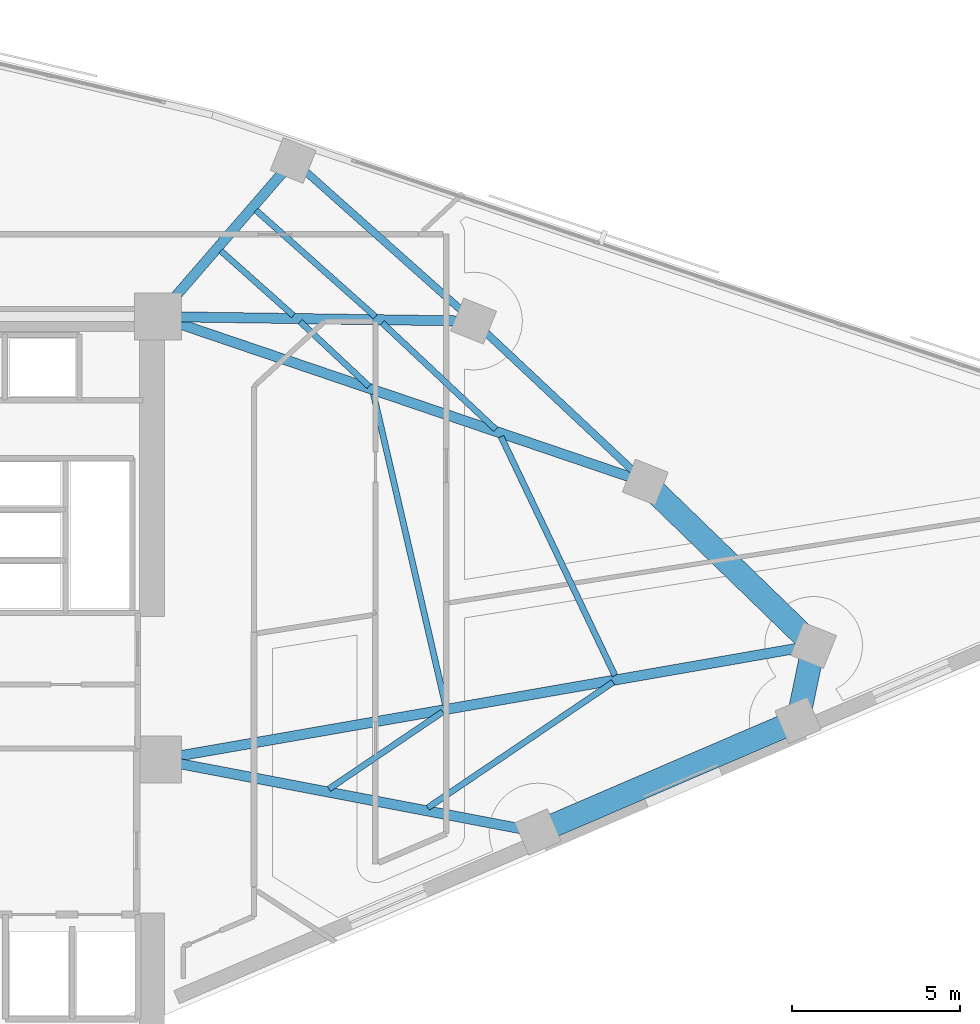
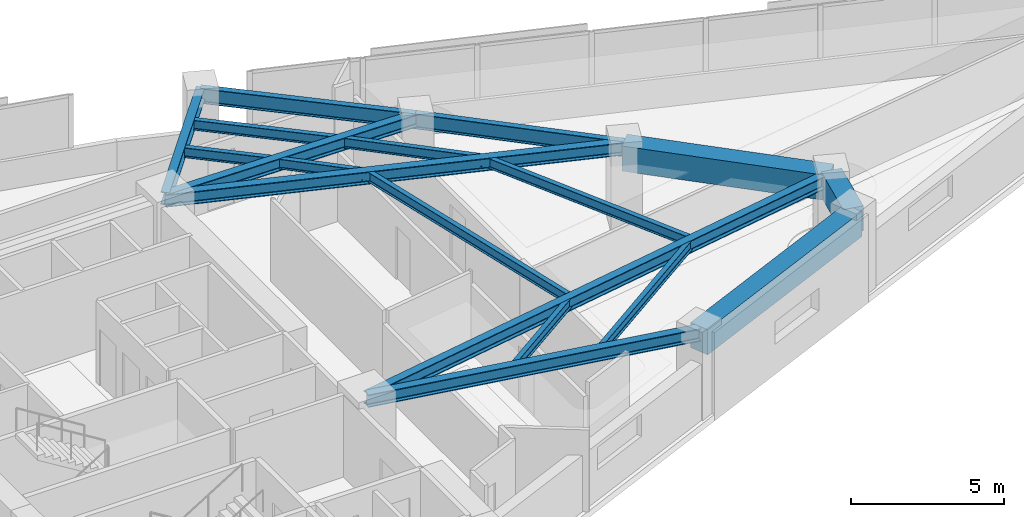
# One storey, part 3 of 14: 18 beams.
"""IFC4 building model written with IfcOpenShell, lengths in metres."""

from ifc_helpers import new_model, si_unit, direction, frame, origin, origin_2d, place, context, subcontext, project, spatial, rectangle, i_section, extrude, material, material_profile, profile_set, type_object, element, save


model = new_model("IFC4")

# Units and contexts
model_context = context("Model", 3, precision=1e-05, world=origin(), true_north=direction((0.0, 1.0)))
body_context = subcontext(model_context, "Body", "Model", "MODEL_VIEW")
ifc_project = project(units=[si_unit("LENGTHUNIT", "METRE"), si_unit("AREAUNIT", "SQUARE_METRE"), si_unit("VOLUMEUNIT", "CUBIC_METRE"), si_unit("PLANEANGLEUNIT", "RADIAN"), si_unit("MASSUNIT", "GRAM", prefix="KILO")], contexts=[model_context])

# Site, building, storey
site_placement = place(None, origin())
site = spatial("IfcSite", under=ifc_project, at=site_placement, CompositionType="ELEMENT")
building_placement = place(site_placement, origin())
building = spatial("IfcBuilding", under=site, at=building_placement, Name="Narakoshi Arena Tower", CompositionType="ELEMENT")
storey_placement = place(building_placement, frame((0.0, 0.0, 179.10009765625)))
storey = spatial("IfcBuildingStorey", under=building, at=storey_placement, Name="L48", CompositionType="ELEMENT", Elevation=179.10009765625)

# Beams
ifc_material_1 = material(Name="Concrete C60/75", Category="concrete")
ifc_material_profile_1 = material_profile(ifc_material_1, rectangle(XDim=0.699951171875, YDim=1.0, at=origin_2d()), Name="RCB700x1000")
ifc_profile_set_1 = profile_set([ifc_material_profile_1], Name="Concrete C60/75")
beam_type_1 = type_object("IfcBeamType", Name="BM-CPL-1000", PredefinedType="BEAM", material=ifc_profile_set_1)
beam_1_placement = place(storey_placement, frame((96.830078125, 41.2001953125, 2.760009765625), z_axis=(0.918792947441, 0.394739812703, 0.0), x_axis=(-0.394739812703, 0.918792947441, 0.0)))
element("IfcBeam", 1, at=beam_1_placement, inside=storey, type_object=beam_type_1, Name="L48 Perimeter Edge Girder 01", PredefinedType="BEAM", context=body_context, shape_type="SweptSolid", body=[
    extrude(rectangle(XDim=0.699951171875, YDim=1.0, at=origin_2d()), origin(), (0.0, 0.0, 1.0), 8.401611328125),
])
beam_2_placement = place(storey_placement, frame((104.54931640625, 44.5166015625, 2.760009765625), z_axis=(0.203000450605, 0.979178644096, 0.0), x_axis=(-0.979178644096, 0.203000450605, 0.0)))
element("IfcBeam", 2, at=beam_2_placement, inside=storey, type_object=beam_type_1, Name="L48 Perimeter Edge Girder 02", PredefinedType="BEAM", context=body_context, shape_type="SweptSolid", body=[
    extrude(rectangle(XDim=0.699951171875, YDim=1.0, at=origin_2d()), origin(), (0.0, 0.0, 1.0), 2.26953125),
])
beam_3_placement = place(storey_placement, frame((105.010009765625, 46.73876953125, 2.760009765625), z_axis=(-0.717826032278, 0.696222512839, 0.0), x_axis=(-0.696222512839, -0.717826032278, 0.0)))
element("IfcBeam", 3, at=beam_3_placement, inside=storey, type_object=beam_type_1, Name="L48 Perimeter Edge Girder 03", PredefinedType="BEAM", context=body_context, shape_type="SweptSolid", body=[
    extrude(rectangle(XDim=0.699951171875, YDim=1.0, at=origin_2d()), origin(), (0.0, 0.0, 1.0), 6.96142578125),
])
ifc_material_2 = material(Name="Structural steel S355J2", Category="steel")
ifc_material_profile_2 = material_profile(ifc_material_2, i_section(OverallWidth=0.219970703125, OverallDepth=0.60009765625, WebThickness=0.011962890625, FlangeThickness=0.01904296875, FilletRadius=0.02392578125, at=origin_2d()), Name="IPE600")
ifc_profile_set_2 = profile_set([ifc_material_profile_2], Name="Structural steel S355J2")
beam_type_2 = type_object("IfcBeamType", Name="BM-EDGE-600", PredefinedType="BEAM", material=ifc_profile_set_2)
beam_4_placement = place(storey_placement, frame((100.012939453125, 51.58544921875, 2.9599609375), z_axis=(-0.729413011888, 0.684073576517, 0.0), x_axis=(-0.684073576517, -0.729413011888, 0.0)))
element("IfcBeam", 4, at=beam_4_placement, inside=storey, type_object=beam_type_2, Name="L48 Perimeter Edge Girder 04", PredefinedType="BEAM", context=body_context, shape_type="SweptSolid", body=[
    extrude(i_section(OverallWidth=0.219970703125, OverallDepth=0.60009765625, WebThickness=0.011962890625, FlangeThickness=0.01904296875, FilletRadius=0.02392578125, at=origin_2d()), origin(), (0.0, 0.0, 1.0), 6.9892578125),
])
beam_5_placement = place(storey_placement, frame((94.914794921875, 56.36669921875, 2.9599609375), z_axis=(-0.746743797071, 0.665111796269, 0.0), x_axis=(-0.665111796269, -0.746743797071, 0.0)))
element("IfcBeam", 5, at=beam_5_placement, inside=storey, type_object=beam_type_2, Name="L48 Perimeter Edge Girder 05", PredefinedType="BEAM", context=body_context, shape_type="SweptSolid", body=[
    extrude(i_section(OverallWidth=0.219970703125, OverallDepth=0.60009765625, WebThickness=0.011962890625, FlangeThickness=0.01904296875, FilletRadius=0.02392578125, at=origin_2d()), origin(), (0.0, 0.0, 1.0), 7.168701171875),
])
ifc_material_profile_3 = material_profile(ifc_material_2, i_section(OverallWidth=0.300048828125, OverallDepth=0.5, WebThickness=0.014404296875, FlangeThickness=0.028076171875, FilletRadius=0.027099609375, at=origin_2d()), Name="HE500B")
ifc_profile_set_3 = profile_set([ifc_material_profile_3], Name="Structural steel S355J2")
beam_type_3 = type_object("IfcBeamType", Name="BM-PRI-500", PredefinedType="BEAM", material=ifc_profile_set_3)
beam_6_placement = place(storey_placement, frame((85.550048828125, 43.35009765625, 3.010009765625), z_axis=(0.982317345732, -0.187223482166, 0.0), x_axis=(0.187223482166, 0.982317345732, 0.0)))
element("IfcBeam", 6, at=beam_6_placement, inside=storey, type_object=beam_type_3, Name="L48 Radial Primary Floor Girder 01", PredefinedType="BEAM", context=body_context, shape_type="SweptSolid", body=[
    extrude(i_section(OverallWidth=0.300048828125, OverallDepth=0.5, WebThickness=0.014404296875, FlangeThickness=0.028076171875, FilletRadius=0.027099609375, at=origin_2d()), origin(), (0.0, 0.0, 1.0), 11.483154296875),
])
beam_7_placement = place(storey_placement, frame((85.550048828125, 43.35009765625, 3.010009765625), z_axis=(0.985174720478, 0.171553986052, 0.0), x_axis=(-0.171553986052, 0.985174720478, 0.0)))
element("IfcBeam", 7, at=beam_7_placement, inside=storey, type_object=beam_type_3, Name="L48 Radial Primary Floor Girder 03", PredefinedType="BEAM", context=body_context, shape_type="SweptSolid", body=[
    extrude(i_section(OverallWidth=0.300048828125, OverallDepth=0.5, WebThickness=0.014404296875, FlangeThickness=0.028076171875, FilletRadius=0.027099609375, at=origin_2d()), origin(), (0.0, 0.0, 1.0), 19.752685546875),
])
beam_8_placement = place(storey_placement, frame((85.550048828125, 56.5, 3.010009765625), z_axis=(0.94682923499, -0.321736537818, 0.0), x_axis=(0.321736537818, 0.94682923499, 0.0)))
element("IfcBeam", 8, at=beam_8_placement, inside=storey, type_object=beam_type_3, Name="L48 Radial Primary Floor Girder 04", PredefinedType="BEAM", context=body_context, shape_type="SweptSolid", body=[
    extrude(i_section(OverallWidth=0.300048828125, OverallDepth=0.5, WebThickness=0.014404296875, FlangeThickness=0.028076171875, FilletRadius=0.027099609375, at=origin_2d()), origin(), (0.0, 0.0, 1.0), 15.275146484375),
])
beam_9_placement = place(storey_placement, frame((85.550048828125, 56.5, 3.010009765625), z_axis=(0.999898707477, -0.014232876956, 0.0), x_axis=(0.014232876956, 0.999898707477, 0.0)))
element("IfcBeam", 9, at=beam_9_placement, inside=storey, type_object=beam_type_3, Name="L48 Radial Primary Floor Girder 05", PredefinedType="BEAM", context=body_context, shape_type="SweptSolid", body=[
    extrude(i_section(OverallWidth=0.300048828125, OverallDepth=0.5, WebThickness=0.014404296875, FlangeThickness=0.028076171875, FilletRadius=0.027099609375, at=origin_2d()), origin(), (0.0, 0.0, 1.0), 9.36572265625),
])
beam_10_placement = place(storey_placement, frame((85.550048828125, 56.5, 3.010009765625), z_axis=(0.654434553487, 0.756118651537, 0.0), x_axis=(-0.756118651537, 0.654434553487, 0.0)))
element("IfcBeam", 10, at=beam_10_placement, inside=storey, type_object=beam_type_3, Name="L48 Radial Primary Floor Girder 06", PredefinedType="BEAM", context=body_context, shape_type="SweptSolid", body=[
    extrude(i_section(OverallWidth=0.300048828125, OverallDepth=0.5, WebThickness=0.014404296875, FlangeThickness=0.028076171875, FilletRadius=0.027099609375, at=origin_2d()), origin(), (0.0, 0.0, 1.0), 6.129638671875),
])
ifc_material_profile_4 = material_profile(ifc_material_2, i_section(OverallWidth=0.179931640625, OverallDepth=0.39990234375, WebThickness=0.008544921875, FlangeThickness=0.013427734375, FilletRadius=0.02099609375, at=origin_2d()), Name="IPE400")
ifc_profile_set_4 = profile_set([ifc_material_profile_4], Name="Structural steel S355J2")
beam_type_4 = type_object("IfcBeamType", Name="BM-SEC-400", PredefinedType="JOIST", material=ifc_profile_set_4)
beam_11_placement = place(storey_placement, frame((90.625, 42.479736328125, 3.059814453125), z_axis=(0.828029909455, 0.560683929721, 0.0), x_axis=(-0.560683929721, 0.828029909455, 0.0)))
element("IfcBeam", 11, at=beam_11_placement, inside=storey, type_object=beam_type_4, Name="L48 Composite Secondary Floor Joist 01", PredefinedType="JOIST", context=body_context, shape_type="SweptSolid", body=[
    extrude(i_section(OverallWidth=0.179931640625, OverallDepth=0.39990234375, WebThickness=0.008544921875, FlangeThickness=0.013427734375, FilletRadius=0.02099609375, at=origin_2d()), origin(), (0.0, 0.0, 1.0), 4.076416015625),
])
beam_12_placement = place(storey_placement, frame((93.557861328125, 41.9208984375, 3.059814453125), z_axis=(0.828038093963, 0.560671842476, 0.0), x_axis=(-0.560671842476, 0.828038093963, 0.0)))
element("IfcBeam", 12, at=beam_12_placement, inside=storey, type_object=beam_type_4, Name="L48 Composite Secondary Floor Joist 02", PredefinedType="JOIST", context=body_context, shape_type="SweptSolid", body=[
    extrude(i_section(OverallWidth=0.179931640625, OverallDepth=0.39990234375, WebThickness=0.008544921875, FlangeThickness=0.013427734375, FilletRadius=0.02099609375, at=origin_2d()), origin(), (0.0, 0.0, 1.0), 6.644775390625),
])
beam_13_placement = place(storey_placement, frame((94.081787109375, 44.97265625, 3.059814453125), z_axis=(-0.225551777579, 0.97423118182, 0.0), x_axis=(-0.97423118182, -0.225551777579, 0.0)))
element("IfcBeam", 13, at=beam_13_placement, inside=storey, type_object=beam_type_4, Name="L48 Composite Secondary Floor Joist 03", PredefinedType="JOIST", context=body_context, shape_type="SweptSolid", body=[
    extrude(i_section(OverallWidth=0.179931640625, OverallDepth=0.39990234375, WebThickness=0.008544921875, FlangeThickness=0.013427734375, FilletRadius=0.02099609375, at=origin_2d()), origin(), (0.0, 0.0, 1.0), 9.4775390625),
])
beam_14_placement = place(storey_placement, frame((99.11376953125, 45.843994140625, 3.059814453125), z_axis=(-0.430296519407, 0.902687601214, 0.0), x_axis=(-0.902687601214, -0.430296519407, 0.0)))
element("IfcBeam", 14, at=beam_14_placement, inside=storey, type_object=beam_type_4, Name="L48 Composite Secondary Floor Joist 04", PredefinedType="JOIST", context=body_context, shape_type="SweptSolid", body=[
    extrude(i_section(OverallWidth=0.179931640625, OverallDepth=0.39990234375, WebThickness=0.008544921875, FlangeThickness=0.013427734375, FilletRadius=0.02099609375, at=origin_2d()), origin(), (0.0, 0.0, 1.0), 7.858642578125),
])
beam_15_placement = place(storey_placement, frame((91.815185546875, 54.429931640625, 3.059814453125), z_axis=(-0.729412358969, 0.68407427271, 0.0), x_axis=(-0.68407427271, -0.729412358969, 0.0)))
element("IfcBeam", 15, at=beam_15_placement, inside=storey, type_object=beam_type_4, Name="L48 Composite Secondary Floor Joist 05", PredefinedType="JOIST", context=body_context, shape_type="SweptSolid", body=[
    extrude(i_section(OverallWidth=0.179931640625, OverallDepth=0.39990234375, WebThickness=0.008544921875, FlangeThickness=0.013427734375, FilletRadius=0.02099609375, at=origin_2d()), origin(), (0.0, 0.0, 1.0), 2.805419921875),
])
beam_16_placement = place(storey_placement, frame((95.57568359375, 53.152099609375, 3.059814453125), z_axis=(-0.729426843307, 0.684058828072, 0.0), x_axis=(-0.684058828072, -0.729426843307, 0.0)))
element("IfcBeam", 16, at=beam_16_placement, inside=storey, type_object=beam_type_4, Name="L48 Composite Secondary Floor Joist 06", PredefinedType="JOIST", context=body_context, shape_type="SweptSolid", body=[
    extrude(i_section(OverallWidth=0.179931640625, OverallDepth=0.39990234375, WebThickness=0.008544921875, FlangeThickness=0.013427734375, FilletRadius=0.02099609375, at=origin_2d()), origin(), (0.0, 0.0, 1.0), 4.62255859375),
])
beam_17_placement = place(storey_placement, frame((89.569580078125, 56.531005859375, 3.059814453125), z_axis=(-0.746689655308, 0.665172578099, 0.0), x_axis=(-0.665172578099, -0.746689655308, 0.0)))
element("IfcBeam", 17, at=beam_17_placement, inside=storey, type_object=beam_type_4, Name="L48 Composite Secondary Floor Joist 07", PredefinedType="JOIST", context=body_context, shape_type="SweptSolid", body=[
    extrude(i_section(OverallWidth=0.179931640625, OverallDepth=0.39990234375, WebThickness=0.008544921875, FlangeThickness=0.013427734375, FilletRadius=0.02099609375, at=origin_2d()), origin(), (0.0, 0.0, 1.0), 2.884033203125),
])
beam_18_placement = place(storey_placement, frame((92.00439453125, 56.49658203125, 3.059814453125), z_axis=(-0.746730885914, 0.665126291784, 0.0), x_axis=(-0.665126291784, -0.746730885914, 0.0)))
element("IfcBeam", 18, at=beam_18_placement, inside=storey, type_object=beam_type_4, Name="L48 Composite Secondary Floor Joist 08", PredefinedType="JOIST", context=body_context, shape_type="SweptSolid", body=[
    extrude(i_section(OverallWidth=0.179931640625, OverallDepth=0.39990234375, WebThickness=0.008544921875, FlangeThickness=0.013427734375, FilletRadius=0.02099609375, at=origin_2d()), origin(), (0.0, 0.0, 1.0), 4.747802734375),
])

save(model, "model.ifc")
